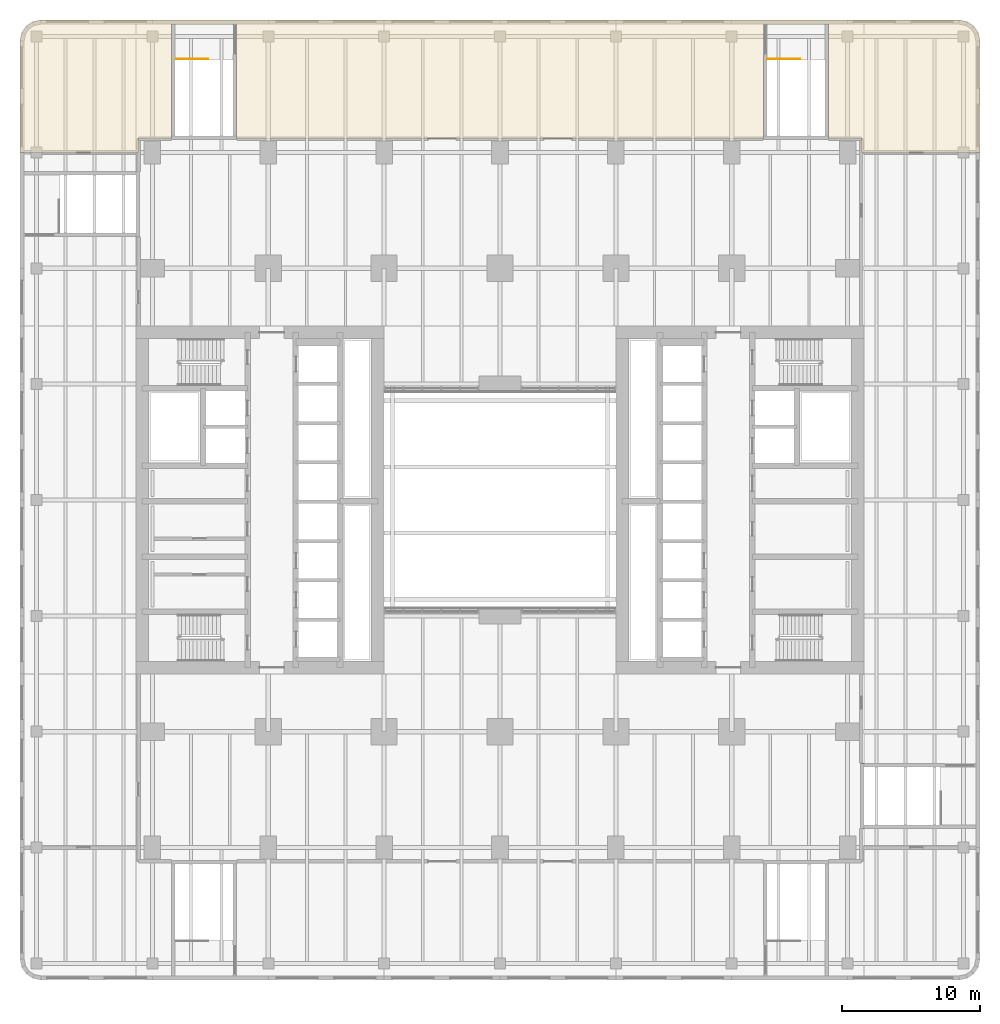
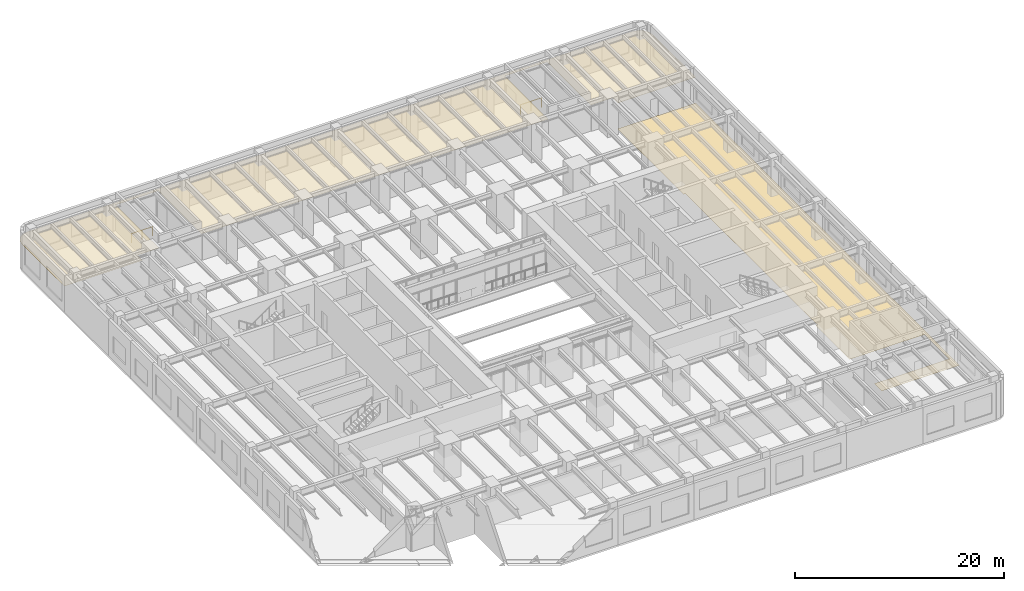
# One storey, part 22 of 22: 2 coverings, 2 railings.
"""IFC4 building model written with IfcOpenShell, lengths in metres."""

from ifc_helpers import new_model, si_unit, direction, frame, origin, origin_2d, place, context, subcontext, project, spatial, polyline, circle, outline, extrude, material, layer, layer_set, type_object, element, save


model = new_model("IFC4")

# Units and contexts
model_context = context("Model", 3, precision=1e-05, world=origin(), true_north=direction((0.0, 1.0)))
body_context = subcontext(model_context, "Body", "Model", "MODEL_VIEW")
ifc_project = project(units=[si_unit("LENGTHUNIT", "METRE"), si_unit("AREAUNIT", "SQUARE_METRE"), si_unit("VOLUMEUNIT", "CUBIC_METRE"), si_unit("PLANEANGLEUNIT", "RADIAN"), si_unit("MASSUNIT", "GRAM", prefix="KILO")], contexts=[model_context])

# Site, building, storey
site_placement = place(None, origin())
site = spatial("IfcSite", under=ifc_project, at=site_placement, CompositionType="ELEMENT")
building_placement = place(site_placement, origin())
building = spatial("IfcBuilding", under=site, at=building_placement, Name="Claustro Exchange Tower", CompositionType="ELEMENT")
storey_placement = place(building_placement, frame((0.0, 0.0, 14.39990234375)))
storey = spatial("IfcBuildingStorey", under=building, at=storey_placement, Name="L03", CompositionType="ELEMENT", Elevation=14.39990234375)

# Coverings
ifc_material_1 = material(Name="Gypsum board ceiling", Category="gypsum board")
ifc_layer_1 = layer(ifc_material_1, 0.02490234375)
ifc_layer_set_1 = layer_set([ifc_layer_1], Name="Gypsum board ceiling")
covering_type_1 = type_object("IfcCoveringType", Name="CL2 plasterboard ceiling", PredefinedType="CEILING", material=ifc_layer_set_1)
covering_1_placement = place(storey_placement, frame((0.0, 0.0, 3.0)))
element("IfcCovering", 1, at=covering_1_placement, inside=storey, type_object=covering_type_1, Name="Ceiling CL2 L03-11", PredefinedType="CEILING", context=body_context, shape_type="SweptSolid", body=[
    extrude(outline(polyline([(-8.10009765625, 60.0), (-8.674072265625, 59.8857421875), (-9.16064453125, 59.560791015625), (-9.48583984375, 59.073974609375), (-9.60009765625, 58.5), (-9.60009765625, 50.39990234375), (-1.0, 50.39990234375), (-1.0, 51.39990234375), (1.39990234375, 51.39990234375), (1.39990234375, 59.679931640625), (6.10009765625, 59.679931640625), (6.10009765625, 51.39990234375), (44.300048828125, 51.39990234375), (44.300048828125, 59.679931640625), (49.0, 59.679931640625), (49.0, 51.39990234375), (51.39990234375, 51.39990234375), (51.39990234375, 50.39990234375), (60.0, 50.39990234375), (60.0, 58.5), (59.8857421875, 59.073974609375), (59.560791015625, 59.560791015625), (59.073974609375, 59.8857421875), (58.5, 60.0), (-8.10009765625, 60.0)])), origin(), (0.0, 0.0, 1.0), 0.025146484375),
])
ifc_material_2 = material(Name="Epoxy resin floor finish", Category="resin")
ifc_layer_2 = layer(ifc_material_2, 0.006103515625)
ifc_layer_set_2 = layer_set([ifc_layer_2], Name="Epoxy resin floor finish")
covering_type_2 = type_object("IfcCoveringType", Name="FL2 resin plant room floor", PredefinedType="FLOORING", material=ifc_layer_set_2)
covering_2_placement = place(storey_placement, origin())
element("IfcCovering", 2, at=covering_2_placement, inside=storey, type_object=covering_type_2, Name="Resin floor FL2 L03-07", PredefinedType="FLOORING", context=body_context, shape_type="SweptSolid", body=[
    extrude(outline(polyline([(51.39990234375, 0.0), (60.0, 0.0), (60.0, 50.39990234375), (51.39990234375, 50.39990234375), (51.39990234375, 37.800048828125), (51.60009765625, 37.800048828125), (51.60009765625, 12.60009765625), (51.39990234375, 12.60009765625), (51.39990234375, 6.10009765625), (59.679931640625, 6.10009765625), (59.679931640625, 1.39990234375), (51.39990234375, 1.39990234375), (51.39990234375, 0.0)])), origin(), (0.0, 0.0, 1.0), 0.006103515625),
])

# Railings
ifc_material_3 = material(Name="Steel balustrade, painted", Category="steel")
railing_type = type_object("IfcRailingType", Name="GR2 1100 steel stair guard", PredefinedType="GUARDRAIL", material=ifc_material_3)
railing_1_placement = place(storey_placement, frame((1.7099609375, 57.179931640625, 0.0)))
element("IfcRailing", 3, at=railing_1_placement, inside=storey, type_object=railing_type, Name="Stair guard GR2 STP3 L03", PredefinedType="GUARDRAIL", context=body_context, shape_type="SweptSolid", body=[
    extrude(circle(Radius=0.02392578125, at=origin_2d()), frame((0.0, 0.0, 1.076171875), z_axis=(1.0, 0.0, 0.0), x_axis=(0.0, 1.0, 0.0)), (0.0, 0.0, 1.0), 2.320068359375),
    extrude(circle(Radius=0.02099609375, at=origin_2d()), origin(), (0.0, 0.0, 1.0), 1.052001953125),
    extrude(circle(Radius=0.02099609375, at=origin_2d()), frame((1.16015625, 0.0, 0.0)), (0.0, 0.0, 1.0), 1.052001953125),
    extrude(circle(Radius=0.02099609375, at=origin_2d()), frame((2.320068359375, 0.0, 0.0)), (0.0, 0.0, 1.0), 1.052001953125),
])
railing_2_placement = place(storey_placement, frame((44.610107421875, 57.179931640625, 0.0)))
element("IfcRailing", 4, at=railing_2_placement, inside=storey, type_object=railing_type, Name="Stair guard GR2 STP4 L03", PredefinedType="GUARDRAIL", context=body_context, shape_type="SweptSolid", body=[
    extrude(circle(Radius=0.02392578125, at=origin_2d()), frame((0.0, 0.0, 1.076171875), z_axis=(1.0, 0.0, 0.0), x_axis=(0.0, 1.0, 0.0)), (0.0, 0.0, 1.0), 2.31982421875),
    extrude(circle(Radius=0.02099609375, at=origin_2d()), origin(), (0.0, 0.0, 1.0), 1.052001953125),
    extrude(circle(Radius=0.02099609375, at=origin_2d()), frame((1.159912109375, 0.0, 0.0)), (0.0, 0.0, 1.0), 1.052001953125),
    extrude(circle(Radius=0.02099609375, at=origin_2d()), frame((2.31982421875, 0.0, 0.0)), (0.0, 0.0, 1.0), 1.052001953125),
])

save(model, "model.ifc")
